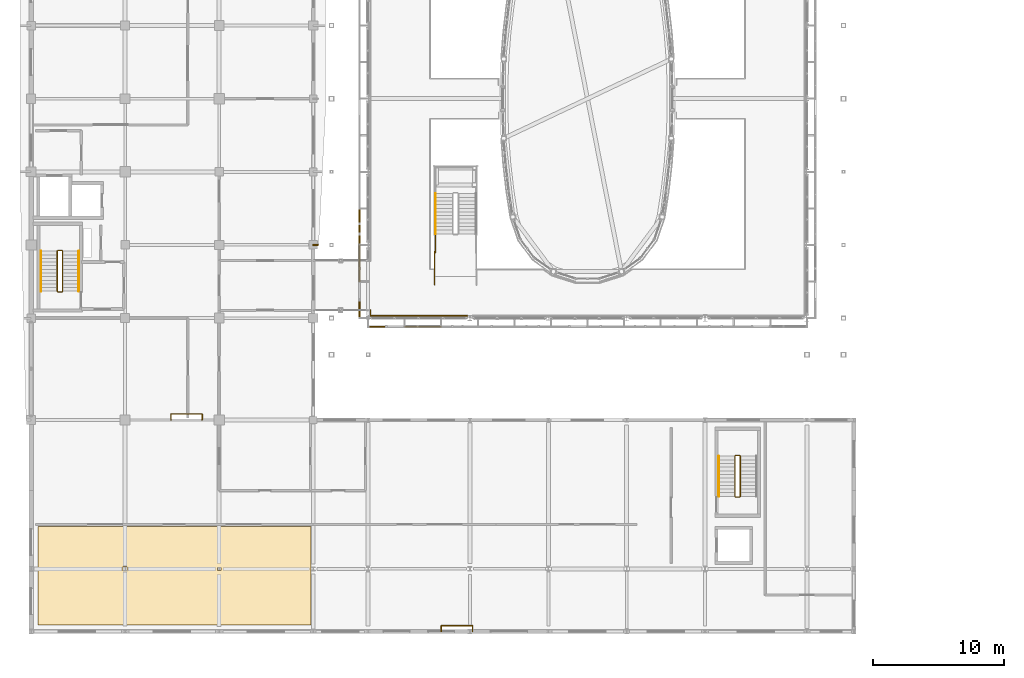
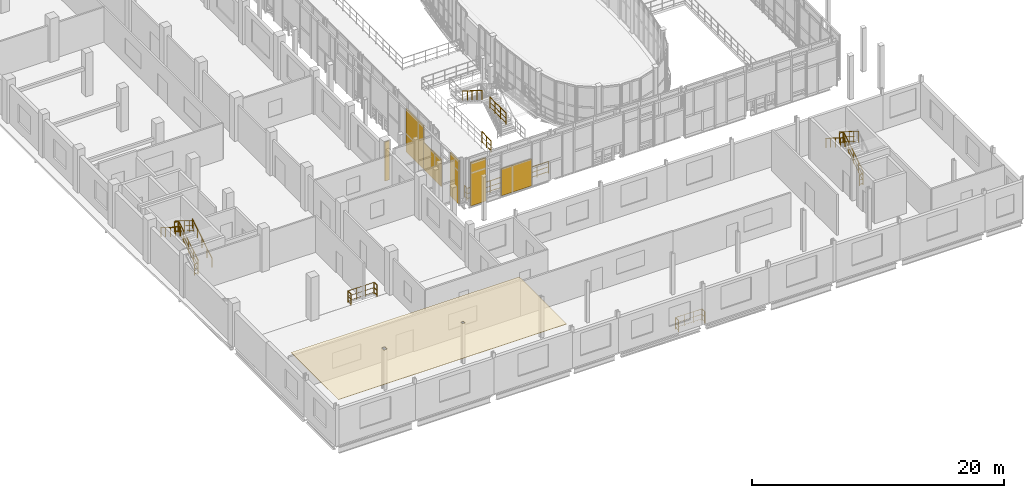
# One storey, part 110 of 121: 22 railings, 6 shading devices, 1 covering.
"""IFC4 building model written with IfcOpenShell, lengths in metres."""

from ifc_helpers import new_model, si_unit, direction, frame, origin, origin_2d, place, context, subcontext, project, spatial, polyline, rectangle, circle, outline, extrude, material, layer, layer_set, type_object, element, save


model = new_model("IFC4")

# Units and contexts
model_context = context("Model", 3, precision=1e-05, world=origin(), true_north=direction((0.0, 1.0)))
body_context = subcontext(model_context, "Body", "Model", "MODEL_VIEW")
ifc_project = project(units=[si_unit("LENGTHUNIT", "METRE"), si_unit("AREAUNIT", "SQUARE_METRE"), si_unit("VOLUMEUNIT", "CUBIC_METRE"), si_unit("PLANEANGLEUNIT", "RADIAN"), si_unit("MASSUNIT", "GRAM", prefix="KILO")], contexts=[model_context])

# Site, building, storey
site_placement = place(None, origin())
site = spatial("IfcSite", under=ifc_project, at=site_placement, CompositionType="ELEMENT")
building_placement = place(site_placement, origin())
building = spatial("IfcBuilding", under=site, at=building_placement, Name="Vinh Khe Railworks Police Headquarters", CompositionType="ELEMENT")
storey_placement = place(building_placement, frame((0.0, 0.0, 4.800048828125)))
storey = spatial("IfcBuildingStorey", under=building, at=storey_placement, Name="L01", CompositionType="ELEMENT", Elevation=4.800048828125)

# Covering
ifc_material_1 = material(Name="Mineral fibre acoustic ceiling tile")
ifc_layer = layer(ifc_material_1, 0.034912109375)
ifc_layer_set = layer_set([ifc_layer], Name="Mineral fibre acoustic ceiling tile")
covering_type = type_object("IfcCoveringType", Name="COV-CEIL-ACOUSTIC", PredefinedType="CEILING", material=ifc_layer_set)
covering_placement = place(storey_placement, frame((0.0, 0.0, 3.89501953125)))
element("IfcCovering", 1, at=covering_placement, inside=storey, type_object=covering_type, Name="Acoustic Ceiling Press and Media Briefing Hall", PredefinedType="CEILING", context=body_context, shape_type="SweptSolid", body=[
    extrude(outline(polyline([(22.0400390625, 9.239990234375), (1.110107421875, 9.239990234375), (1.110107421875, 1.7099609375), (22.0400390625, 1.7099609375), (22.0400390625, 9.239990234375)]), holes=[polyline([(7.955078125, 5.820068359375), (7.64501953125, 5.820068359375), (7.64501953125, 6.179931640625), (7.955078125, 6.179931640625), (7.955078125, 5.820068359375)]), polyline([(15.125, 5.8798828125), (14.875, 5.8798828125), (14.875, 6.1201171875), (15.125, 6.1201171875), (15.125, 5.8798828125)])]), origin(), (0.0, 0.0, 1.0), 0.034912109375),
])

# Railings
ifc_material_2 = material(Name="Dark steel and laminated safety glass", Category="steel")
railing_type_1 = type_object("IfcRailingType", Name="RL-ATRIUM-1150", PredefinedType="BALUSTRADE", material=ifc_material_2)
railing_1_placement = place(storey_placement, frame((31.550048828125, 30.199951171875, 0.0)))
element("IfcRailing", 2, at=railing_1_placement, inside=storey, type_object=railing_type_1, Name="L01 ST-08 stair guard 9", PredefinedType="BALUSTRADE", context=body_context, shape_type="SweptSolid", body=[
    extrude(circle(Radius=0.02392578125, at=origin_2d()), frame((0.0, 0.0, 1.076171875), z_axis=(0.0, 1.0, 0.0), x_axis=(-1.0, 0.0, 0.0)), (0.0, 0.0, 1.0), 1.449951171875),
    extrude(circle(Radius=0.01416015625, at=origin_2d()), frame((0.0, 0.0, 0.132080078125), z_axis=(0.0, 1.0, 0.0), x_axis=(-1.0, 0.0, 0.0)), (0.0, 0.0, 1.0), 1.449951171875),
    extrude(circle(Radius=0.01416015625, at=origin_2d()), frame((0.0, 0.0, 0.572021484375), z_axis=(0.0, 1.0, 0.0), x_axis=(-1.0, 0.0, 0.0)), (0.0, 0.0, 1.0), 1.449951171875),
    extrude(circle(Radius=0.02099609375, at=origin_2d()), origin(), (0.0, 0.0, 1.0), 1.052001953125),
    extrude(circle(Radius=0.02099609375, at=origin_2d()), frame((0.0, 0.72509765625, 0.0)), (0.0, 0.0, 1.0), 1.052001953125),
    extrude(circle(Radius=0.02099609375, at=origin_2d()), frame((0.0, 1.449951171875, 0.0)), (0.0, 0.0, 1.0), 1.052001953125),
])
railing_2_placement = place(storey_placement, frame((31.5, 27.75, 4.199951171875)))
element("IfcRailing", 3, at=railing_2_placement, inside=storey, type_object=railing_type_1, Name="L01 ST-08 stair guard 13", PredefinedType="BALUSTRADE", context=body_context, shape_type="SweptSolid", body=[
    extrude(circle(Radius=0.02392578125, at=origin_2d()), frame((0.0, 0.0, 1.076171875), z_axis=(0.0, 1.0, 0.0), x_axis=(-1.0, 0.0, 0.0)), (0.0, 0.0, 1.0), 2.550048828125),
    extrude(circle(Radius=0.01416015625, at=origin_2d()), frame((0.0, 0.0, 0.132080078125), z_axis=(0.0, 1.0, 0.0), x_axis=(-1.0, 0.0, 0.0)), (0.0, 0.0, 1.0), 2.550048828125),
    extrude(circle(Radius=0.01416015625, at=origin_2d()), frame((0.0, 0.0, 0.572021484375), z_axis=(0.0, 1.0, 0.0), x_axis=(-1.0, 0.0, 0.0)), (0.0, 0.0, 1.0), 2.550048828125),
    extrude(circle(Radius=0.02099609375, at=origin_2d()), origin(), (0.0, 0.0, 1.0), 1.052001953125),
    extrude(circle(Radius=0.02099609375, at=origin_2d()), frame((0.0, 0.85009765625, 0.0)), (0.0, 0.0, 1.0), 1.052001953125),
    extrude(circle(Radius=0.02099609375, at=origin_2d()), frame((0.0, 1.699951171875, 0.0)), (0.0, 0.0, 1.0), 1.052001953125),
    extrude(circle(Radius=0.02099609375, at=origin_2d()), frame((0.0, 2.550048828125, 0.0)), (0.0, 0.0, 1.0), 1.052001953125),
])
railing_3_placement = place(storey_placement, frame((26.580078125, 25.3798828125, 0.0)))
element("IfcRailing", 4, at=railing_3_placement, inside=storey, type_object=railing_type_1, Name="Atrium Balustrade GR-V1PERIM-L01-01", PredefinedType="BALUSTRADE", context=body_context, shape_type="SweptSolid", body=[
    extrude(circle(Radius=0.02392578125, at=origin_2d()), frame((0.0, 0.0, 1.1259765625), z_axis=(1.0, 0.0, 0.0), x_axis=(0.0, 1.0, 0.0)), (0.0, 0.0, 1.0), 7.44482421875),
    extrude(circle(Radius=0.01416015625, at=origin_2d()), frame((0.0, 0.0, 0.137939453125), z_axis=(1.0, 0.0, 0.0), x_axis=(0.0, 1.0, 0.0)), (0.0, 0.0, 1.0), 7.44482421875),
    extrude(circle(Radius=0.01416015625, at=origin_2d()), frame((0.0, 0.0, 0.597900390625), z_axis=(1.0, 0.0, 0.0), x_axis=(0.0, 1.0, 0.0)), (0.0, 0.0, 1.0), 7.44482421875),
    extrude(circle(Radius=0.02099609375, at=origin_2d()), origin(), (0.0, 0.0, 1.0), 1.101806640625),
    extrude(circle(Radius=0.02099609375, at=origin_2d()), frame((1.0634765625, 0.0, 0.0)), (0.0, 0.0, 1.0), 1.101806640625),
    extrude(circle(Radius=0.02099609375, at=origin_2d()), frame((2.127197265625, 0.0, 0.0)), (0.0, 0.0, 1.0), 1.101806640625),
    extrude(circle(Radius=0.02099609375, at=origin_2d()), frame((3.190673828125, 0.0, 0.0)), (0.0, 0.0, 1.0), 1.101806640625),
    extrude(circle(Radius=0.02099609375, at=origin_2d()), frame((4.254150390625, 0.0, 0.0)), (0.0, 0.0, 1.0), 1.101806640625),
    extrude(circle(Radius=0.02099609375, at=origin_2d()), frame((5.317626953125, 0.0, 0.0)), (0.0, 0.0, 1.0), 1.101806640625),
    extrude(circle(Radius=0.02099609375, at=origin_2d()), frame((6.38134765625, 0.0, 0.0)), (0.0, 0.0, 1.0), 1.101806640625),
    extrude(circle(Radius=0.02099609375, at=origin_2d()), frame((7.44482421875, 0.0, 0.0)), (0.0, 0.0, 1.0), 1.101806640625),
])
railing_4_placement = place(storey_placement, frame((26.580078125, 25.820068359375, 0.0)))
element("IfcRailing", 5, at=railing_4_placement, inside=storey, type_object=railing_type_1, Name="Atrium Balustrade GR-V1PERIM-L01-07", PredefinedType="BALUSTRADE", context=body_context, shape_type="SweptSolid", body=[
    extrude(circle(Radius=0.02392578125, at=origin_2d()), frame((0.0, 0.0, 1.1259765625), z_axis=(0.0, -1.0, 0.0), x_axis=(1.0, 0.0, 0.0)), (0.0, 0.0, 1.0), 0.440185546875),
    extrude(circle(Radius=0.01416015625, at=origin_2d()), frame((0.0, 0.0, 0.137939453125), z_axis=(0.0, -1.0, 0.0), x_axis=(1.0, 0.0, 0.0)), (0.0, 0.0, 1.0), 0.440185546875),
    extrude(circle(Radius=0.01416015625, at=origin_2d()), frame((0.0, 0.0, 0.597900390625), z_axis=(0.0, -1.0, 0.0), x_axis=(1.0, 0.0, 0.0)), (0.0, 0.0, 1.0), 0.440185546875),
    extrude(circle(Radius=0.02099609375, at=origin_2d()), origin(), (0.0, 0.0, 1.0), 1.101806640625),
    extrude(circle(Radius=0.02099609375, at=origin_2d()), frame((0.0, -0.440185546875, 0.0)), (0.0, 0.0, 1.0), 1.101806640625),
])
ifc_material_3 = material(Name="Painted tubular steel", Category="steel")
railing_type_2 = type_object("IfcRailingType", Name="RL-GUARD-1100", PredefinedType="GUARDRAIL", material=ifc_material_3)
railing_5_placement = place(storey_placement, frame((3.0, 27.25, 0.175048828125)))
element("IfcRailing", 6, at=railing_5_placement, inside=storey, type_object=railing_type_2, Name="L01 ST-01 stair guard 1", PredefinedType="GUARDRAIL", context=body_context, shape_type="SweptSolid", body=[
    extrude(circle(Radius=0.02392578125, at=origin_2d()), frame((0.0, 0.0, 1.076171875), z_axis=(0.0, 0.848028513186, 0.529950602248), x_axis=(-1.0, 0.0, 0.0)), (0.0, 0.0, 1.0), 3.632080078125),
    extrude(circle(Radius=0.01416015625, at=origin_2d()), frame((0.0, 0.0, 0.132080078125), z_axis=(0.0, 0.848028513186, 0.529950602248), x_axis=(-1.0, 0.0, 0.0)), (0.0, 0.0, 1.0), 3.632080078125),
    extrude(circle(Radius=0.01416015625, at=origin_2d()), frame((0.0, 0.0, 0.572021484375), z_axis=(0.0, 0.848028513186, 0.529950602248), x_axis=(-1.0, 0.0, 0.0)), (0.0, 0.0, 1.0), 3.632080078125),
    extrude(circle(Radius=0.02099609375, at=origin_2d()), origin(), (0.0, 0.0, 1.0), 1.052001953125),
    extrude(circle(Radius=0.02099609375, at=origin_2d()), frame((0.0, 0.77001953125, 0.481201171875)), (0.0, 0.0, 1.0), 1.052001953125),
    extrude(circle(Radius=0.02099609375, at=origin_2d()), frame((0.0, 1.5400390625, 0.96240234375)), (0.0, 0.0, 1.0), 1.052001953125),
    extrude(circle(Radius=0.02099609375, at=origin_2d()), frame((0.0, 2.31005859375, 1.443603515625)), (0.0, 0.0, 1.0), 1.052001953125),
    extrude(circle(Radius=0.02099609375, at=origin_2d()), frame((0.0, 3.080078125, 1.9248046875)), (0.0, 0.0, 1.0), 1.052001953125),
])
railing_6_placement = place(storey_placement, frame((2.949951171875, 30.3798828125, 2.099853515625)))
element("IfcRailing", 7, at=railing_6_placement, inside=storey, type_object=railing_type_2, Name="L01 ST-01 stair guard 2", PredefinedType="GUARDRAIL", context=body_context, shape_type="SweptSolid", body=[
    extrude(circle(Radius=0.02392578125, at=origin_2d()), frame((0.0, 0.0, 1.076171875), z_axis=(-1.0, 0.0, 0.0), x_axis=(0.0, -1.0, 0.0)), (0.0, 0.0, 1.0), 0.300048828125),
    extrude(circle(Radius=0.01416015625, at=origin_2d()), frame((0.0, 0.0, 0.132080078125), z_axis=(-1.0, 0.0, 0.0), x_axis=(0.0, -1.0, 0.0)), (0.0, 0.0, 1.0), 0.300048828125),
    extrude(circle(Radius=0.01416015625, at=origin_2d()), frame((0.0, 0.0, 0.572021484375), z_axis=(-1.0, 0.0, 0.0), x_axis=(0.0, -1.0, 0.0)), (0.0, 0.0, 1.0), 0.300048828125),
    extrude(circle(Radius=0.02099609375, at=origin_2d()), origin(), (0.0, 0.0, 1.0), 1.052001953125),
    extrude(circle(Radius=0.02099609375, at=origin_2d()), frame((-0.300048828125, 0.0, 0.0)), (0.0, 0.0, 1.0), 1.052001953125),
])
railing_7_placement = place(storey_placement, frame((2.60009765625, 30.330078125, 2.27490234375)))
element("IfcRailing", 8, at=railing_7_placement, inside=storey, type_object=railing_type_2, Name="L01 ST-01 stair guard 3", PredefinedType="GUARDRAIL", context=body_context, shape_type="SweptSolid", body=[
    extrude(circle(Radius=0.02392578125, at=origin_2d()), frame((0.0, 0.0, 1.076171875), z_axis=(0.0, -0.847998304005, 0.529998940003), x_axis=(1.0, 0.0, 0.0)), (0.0, 0.0, 1.0), 3.632080078125),
    extrude(circle(Radius=0.01416015625, at=origin_2d()), frame((0.0, 0.0, 0.132080078125), z_axis=(0.0, -0.847998304005, 0.529998940003), x_axis=(1.0, 0.0, 0.0)), (0.0, 0.0, 1.0), 3.632080078125),
    extrude(circle(Radius=0.01416015625, at=origin_2d()), frame((0.0, 0.0, 0.572021484375), z_axis=(0.0, -0.847998304005, 0.529998940003), x_axis=(1.0, 0.0, 0.0)), (0.0, 0.0, 1.0), 3.632080078125),
    extrude(circle(Radius=0.02099609375, at=origin_2d()), origin(), (0.0, 0.0, 1.0), 1.052001953125),
    extrude(circle(Radius=0.02099609375, at=origin_2d()), frame((0.0, -0.77001953125, 0.481201171875)), (0.0, 0.0, 1.0), 1.052001953125),
    extrude(circle(Radius=0.02099609375, at=origin_2d()), frame((0.0, -1.5400390625, 0.96240234375)), (0.0, 0.0, 1.0), 1.052001953125),
    extrude(circle(Radius=0.02099609375, at=origin_2d()), frame((0.0, -2.31005859375, 1.44384765625)), (0.0, 0.0, 1.0), 1.052001953125),
    extrude(circle(Radius=0.02099609375, at=origin_2d()), frame((0.0, -3.080078125, 1.925048828125)), (0.0, 0.0, 1.0), 1.052001953125),
])
railing_8_placement = place(storey_placement, frame((2.949951171875, 27.199951171875, 0.0)))
element("IfcRailing", 9, at=railing_8_placement, inside=storey, type_object=railing_type_2, Name="L01 ST-01 stair guard 4", PredefinedType="GUARDRAIL", context=body_context, shape_type="SweptSolid", body=[
    extrude(circle(Radius=0.02392578125, at=origin_2d()), frame((0.0, 0.0, 1.076171875), z_axis=(-1.0, 0.0, 0.0), x_axis=(0.0, -1.0, 0.0)), (0.0, 0.0, 1.0), 0.300048828125),
    extrude(circle(Radius=0.01416015625, at=origin_2d()), frame((0.0, 0.0, 0.132080078125), z_axis=(-1.0, 0.0, 0.0), x_axis=(0.0, -1.0, 0.0)), (0.0, 0.0, 1.0), 0.300048828125),
    extrude(circle(Radius=0.01416015625, at=origin_2d()), frame((0.0, 0.0, 0.572021484375), z_axis=(-1.0, 0.0, 0.0), x_axis=(0.0, -1.0, 0.0)), (0.0, 0.0, 1.0), 0.300048828125),
    extrude(circle(Radius=0.02099609375, at=origin_2d()), origin(), (0.0, 0.0, 1.0), 1.052001953125),
    extrude(circle(Radius=0.02099609375, at=origin_2d()), frame((-0.300048828125, 0.0, 0.0)), (0.0, 0.0, 1.0), 1.052001953125),
])
railing_9_placement = place(storey_placement, frame((54.89990234375, 11.550048828125, 0.175048828125)))
element("IfcRailing", 10, at=railing_9_placement, inside=storey, type_object=railing_type_2, Name="L01 ST-05 stair guard 1", PredefinedType="GUARDRAIL", context=body_context, shape_type="SweptSolid", body=[
    extrude(circle(Radius=0.02392578125, at=origin_2d()), frame((0.0, 0.0, 1.076171875), z_axis=(0.0, 0.848009633417, 0.529980812513), x_axis=(-1.0, 0.0, 0.0)), (0.0, 0.0, 1.0), 3.6318359375),
    extrude(circle(Radius=0.01416015625, at=origin_2d()), frame((0.0, 0.0, 0.132080078125), z_axis=(0.0, 0.848009633417, 0.529980812513), x_axis=(-1.0, 0.0, 0.0)), (0.0, 0.0, 1.0), 3.6318359375),
    extrude(circle(Radius=0.01416015625, at=origin_2d()), frame((0.0, 0.0, 0.572021484375), z_axis=(0.0, 0.848009633417, 0.529980812513), x_axis=(-1.0, 0.0, 0.0)), (0.0, 0.0, 1.0), 3.6318359375),
    extrude(circle(Radius=0.02099609375, at=origin_2d()), origin(), (0.0, 0.0, 1.0), 1.052001953125),
    extrude(circle(Radius=0.02099609375, at=origin_2d()), frame((0.0, 0.77001953125, 0.481201171875)), (0.0, 0.0, 1.0), 1.052001953125),
    extrude(circle(Radius=0.02099609375, at=origin_2d()), frame((0.0, 1.5400390625, 0.96240234375)), (0.0, 0.0, 1.0), 1.052001953125),
    extrude(circle(Radius=0.02099609375, at=origin_2d()), frame((0.0, 2.309814453125, 1.443603515625)), (0.0, 0.0, 1.0), 1.052001953125),
    extrude(circle(Radius=0.02099609375, at=origin_2d()), frame((0.0, 3.079833984375, 1.9248046875)), (0.0, 0.0, 1.0), 1.052001953125),
])
railing_10_placement = place(storey_placement, frame((54.85009765625, 14.679931640625, 2.099853515625)))
element("IfcRailing", 11, at=railing_10_placement, inside=storey, type_object=railing_type_2, Name="L01 ST-05 stair guard 2", PredefinedType="GUARDRAIL", context=body_context, shape_type="SweptSolid", body=[
    extrude(circle(Radius=0.02392578125, at=origin_2d()), frame((0.0, 0.0, 1.076171875), z_axis=(-1.0, 0.0, 0.0), x_axis=(0.0, -1.0, 0.0)), (0.0, 0.0, 1.0), 0.300048828125),
    extrude(circle(Radius=0.01416015625, at=origin_2d()), frame((0.0, 0.0, 0.132080078125), z_axis=(-1.0, 0.0, 0.0), x_axis=(0.0, -1.0, 0.0)), (0.0, 0.0, 1.0), 0.300048828125),
    extrude(circle(Radius=0.01416015625, at=origin_2d()), frame((0.0, 0.0, 0.572021484375), z_axis=(-1.0, 0.0, 0.0), x_axis=(0.0, -1.0, 0.0)), (0.0, 0.0, 1.0), 0.300048828125),
    extrude(circle(Radius=0.02099609375, at=origin_2d()), origin(), (0.0, 0.0, 1.0), 1.052001953125),
    extrude(circle(Radius=0.02099609375, at=origin_2d()), frame((-0.300048828125, 0.0, 0.0)), (0.0, 0.0, 1.0), 1.052001953125),
])
railing_11_placement = place(storey_placement, frame((54.5, 14.6298828125, 2.27490234375)))
element("IfcRailing", 12, at=railing_11_placement, inside=storey, type_object=railing_type_2, Name="L01 ST-05 stair guard 3", PredefinedType="GUARDRAIL", context=body_context, shape_type="SweptSolid", body=[
    extrude(circle(Radius=0.02392578125, at=origin_2d()), frame((0.0, 0.0, 1.076171875), z_axis=(0.0, -0.847979421464, 0.530029150871), x_axis=(1.0, 0.0, 0.0)), (0.0, 0.0, 1.0), 3.632080078125),
    extrude(circle(Radius=0.01416015625, at=origin_2d()), frame((0.0, 0.0, 0.132080078125), z_axis=(0.0, -0.847979421464, 0.530029150871), x_axis=(1.0, 0.0, 0.0)), (0.0, 0.0, 1.0), 3.632080078125),
    extrude(circle(Radius=0.01416015625, at=origin_2d()), frame((0.0, 0.0, 0.572021484375), z_axis=(0.0, -0.847979421464, 0.530029150871), x_axis=(1.0, 0.0, 0.0)), (0.0, 0.0, 1.0), 3.632080078125),
    extrude(circle(Radius=0.02099609375, at=origin_2d()), origin(), (0.0, 0.0, 1.0), 1.052001953125),
    extrude(circle(Radius=0.02099609375, at=origin_2d()), frame((0.0, -0.77001953125, 0.481201171875)), (0.0, 0.0, 1.0), 1.052001953125),
    extrude(circle(Radius=0.02099609375, at=origin_2d()), frame((0.0, -1.5400390625, 0.96240234375)), (0.0, 0.0, 1.0), 1.052001953125),
    extrude(circle(Radius=0.02099609375, at=origin_2d()), frame((0.0, -2.309814453125, 1.44384765625)), (0.0, 0.0, 1.0), 1.052001953125),
    extrude(circle(Radius=0.02099609375, at=origin_2d()), frame((0.0, -3.079833984375, 1.925048828125)), (0.0, 0.0, 1.0), 1.052001953125),
])
railing_12_placement = place(storey_placement, frame((54.85009765625, 11.5, 0.0)))
element("IfcRailing", 13, at=railing_12_placement, inside=storey, type_object=railing_type_2, Name="L01 ST-05 stair guard 4", PredefinedType="GUARDRAIL", context=body_context, shape_type="SweptSolid", body=[
    extrude(circle(Radius=0.02392578125, at=origin_2d()), frame((0.0, 0.0, 1.076171875), z_axis=(-1.0, 0.0, 0.0), x_axis=(0.0, -1.0, 0.0)), (0.0, 0.0, 1.0), 0.300048828125),
    extrude(circle(Radius=0.01416015625, at=origin_2d()), frame((0.0, 0.0, 0.132080078125), z_axis=(-1.0, 0.0, 0.0), x_axis=(0.0, -1.0, 0.0)), (0.0, 0.0, 1.0), 0.300048828125),
    extrude(circle(Radius=0.01416015625, at=origin_2d()), frame((0.0, 0.0, 0.572021484375), z_axis=(-1.0, 0.0, 0.0), x_axis=(0.0, -1.0, 0.0)), (0.0, 0.0, 1.0), 0.300048828125),
    extrude(circle(Radius=0.02099609375, at=origin_2d()), origin(), (0.0, 0.0, 1.0), 1.052001953125),
    extrude(circle(Radius=0.02099609375, at=origin_2d()), frame((-0.300048828125, 0.0, 0.0)), (0.0, 0.0, 1.0), 1.052001953125),
])
railing_13_placement = place(storey_placement, frame((11.300048828125, 17.39990234375, 0.0)))
element("IfcRailing", 14, at=railing_13_placement, inside=storey, type_object=railing_type_2, Name="Slab Corner Notch Guard L01-13", PredefinedType="GUARDRAIL", context=body_context, shape_type="SweptSolid", body=[
    extrude(circle(Radius=0.02392578125, at=origin_2d()), frame((0.0, 0.0, 1.09619140625), z_axis=(0.0, 1.0, 0.0), x_axis=(-1.0, 0.0, 0.0)), (0.0, 0.0, 1.0), 0.4501953125),
    extrude(circle(Radius=0.01416015625, at=origin_2d()), frame((0.0, 0.0, 0.134521484375), z_axis=(0.0, 1.0, 0.0), x_axis=(-1.0, 0.0, 0.0)), (0.0, 0.0, 1.0), 0.4501953125),
    extrude(circle(Radius=0.01416015625, at=origin_2d()), frame((0.0, 0.0, 0.58251953125), z_axis=(0.0, 1.0, 0.0), x_axis=(-1.0, 0.0, 0.0)), (0.0, 0.0, 1.0), 0.4501953125),
    extrude(circle(Radius=0.02099609375, at=origin_2d()), origin(), (0.0, 0.0, 1.0), 1.072021484375),
    extrude(circle(Radius=0.02099609375, at=origin_2d()), frame((0.0, 0.4501953125, 0.0)), (0.0, 0.0, 1.0), 1.072021484375),
])
railing_14_placement = place(storey_placement, frame((11.300048828125, 17.85009765625, 0.0)))
element("IfcRailing", 15, at=railing_14_placement, inside=storey, type_object=railing_type_2, Name="Slab Corner Notch Guard L01-14", PredefinedType="GUARDRAIL", context=body_context, shape_type="SweptSolid", body=[
    extrude(circle(Radius=0.02392578125, at=origin_2d()), frame((0.0, 0.0, 1.09619140625), z_axis=(1.0, 0.0, 0.0), x_axis=(0.0, 1.0, 0.0)), (0.0, 0.0, 1.0), 2.39990234375),
    extrude(circle(Radius=0.01416015625, at=origin_2d()), frame((0.0, 0.0, 0.134521484375), z_axis=(1.0, 0.0, 0.0), x_axis=(0.0, 1.0, 0.0)), (0.0, 0.0, 1.0), 2.39990234375),
    extrude(circle(Radius=0.01416015625, at=origin_2d()), frame((0.0, 0.0, 0.58251953125), z_axis=(1.0, 0.0, 0.0), x_axis=(0.0, 1.0, 0.0)), (0.0, 0.0, 1.0), 2.39990234375),
    extrude(circle(Radius=0.02099609375, at=origin_2d()), origin(), (0.0, 0.0, 1.0), 1.072021484375),
    extrude(circle(Radius=0.02099609375, at=origin_2d()), frame((0.800048828125, 0.0, 0.0)), (0.0, 0.0, 1.0), 1.072021484375),
    extrude(circle(Radius=0.02099609375, at=origin_2d()), frame((1.599853515625, 0.0, 0.0)), (0.0, 0.0, 1.0), 1.072021484375),
    extrude(circle(Radius=0.02099609375, at=origin_2d()), frame((2.39990234375, 0.0, 0.0)), (0.0, 0.0, 1.0), 1.072021484375),
])
railing_15_placement = place(storey_placement, frame((13.699951171875, 17.85009765625, 0.0)))
element("IfcRailing", 16, at=railing_15_placement, inside=storey, type_object=railing_type_2, Name="Slab Corner Notch Guard L01-15", PredefinedType="GUARDRAIL", context=body_context, shape_type="SweptSolid", body=[
    extrude(circle(Radius=0.02392578125, at=origin_2d()), frame((0.0, 0.0, 1.09619140625), z_axis=(0.0, -1.0, 0.0), x_axis=(1.0, 0.0, 0.0)), (0.0, 0.0, 1.0), 0.4501953125),
    extrude(circle(Radius=0.01416015625, at=origin_2d()), frame((0.0, 0.0, 0.134521484375), z_axis=(0.0, -1.0, 0.0), x_axis=(1.0, 0.0, 0.0)), (0.0, 0.0, 1.0), 0.4501953125),
    extrude(circle(Radius=0.01416015625, at=origin_2d()), frame((0.0, 0.0, 0.58251953125), z_axis=(0.0, -1.0, 0.0), x_axis=(1.0, 0.0, 0.0)), (0.0, 0.0, 1.0), 0.4501953125),
    extrude(circle(Radius=0.02099609375, at=origin_2d()), origin(), (0.0, 0.0, 1.0), 1.072021484375),
    extrude(circle(Radius=0.02099609375, at=origin_2d()), frame((0.0, -0.4501953125, 0.0)), (0.0, 0.0, 1.0), 1.072021484375),
])
railing_16_placement = place(storey_placement, frame((32.0, 1.199951171875, 0.0)))
element("IfcRailing", 17, at=railing_16_placement, inside=storey, type_object=railing_type_2, Name="Slab Corner Notch Guard L01-16", PredefinedType="GUARDRAIL", context=body_context, shape_type="SweptSolid", body=[
    extrude(circle(Radius=0.02392578125, at=origin_2d()), frame((0.0, 0.0, 1.09619140625), z_axis=(0.0, 1.0, 0.0), x_axis=(-1.0, 0.0, 0.0)), (0.0, 0.0, 1.0), 0.449951171875),
    extrude(circle(Radius=0.01416015625, at=origin_2d()), frame((0.0, 0.0, 0.134521484375), z_axis=(0.0, 1.0, 0.0), x_axis=(-1.0, 0.0, 0.0)), (0.0, 0.0, 1.0), 0.449951171875),
    extrude(circle(Radius=0.01416015625, at=origin_2d()), frame((0.0, 0.0, 0.58251953125), z_axis=(0.0, 1.0, 0.0), x_axis=(-1.0, 0.0, 0.0)), (0.0, 0.0, 1.0), 0.449951171875),
    extrude(circle(Radius=0.02099609375, at=origin_2d()), origin(), (0.0, 0.0, 1.0), 1.072021484375),
    extrude(circle(Radius=0.02099609375, at=origin_2d()), frame((0.0, 0.449951171875, 0.0)), (0.0, 0.0, 1.0), 1.072021484375),
])
railing_17_placement = place(storey_placement, frame((32.0, 1.64990234375, 0.0)))
element("IfcRailing", 18, at=railing_17_placement, inside=storey, type_object=railing_type_2, Name="Slab Corner Notch Guard L01-17", PredefinedType="GUARDRAIL", context=body_context, shape_type="SweptSolid", body=[
    extrude(circle(Radius=0.02392578125, at=origin_2d()), frame((0.0, 0.0, 1.09619140625), z_axis=(1.0, 0.0, 0.0), x_axis=(0.0, 1.0, 0.0)), (0.0, 0.0, 1.0), 2.39990234375),
    extrude(circle(Radius=0.01416015625, at=origin_2d()), frame((0.0, 0.0, 0.134521484375), z_axis=(1.0, 0.0, 0.0), x_axis=(0.0, 1.0, 0.0)), (0.0, 0.0, 1.0), 2.39990234375),
    extrude(circle(Radius=0.01416015625, at=origin_2d()), frame((0.0, 0.0, 0.58251953125), z_axis=(1.0, 0.0, 0.0), x_axis=(0.0, 1.0, 0.0)), (0.0, 0.0, 1.0), 2.39990234375),
    extrude(circle(Radius=0.02099609375, at=origin_2d()), origin(), (0.0, 0.0, 1.0), 1.072021484375),
    extrude(circle(Radius=0.02099609375, at=origin_2d()), frame((0.800048828125, 0.0, 0.0)), (0.0, 0.0, 1.0), 1.072021484375),
    extrude(circle(Radius=0.02099609375, at=origin_2d()), frame((1.599853515625, 0.0, 0.0)), (0.0, 0.0, 1.0), 1.072021484375),
    extrude(circle(Radius=0.02099609375, at=origin_2d()), frame((2.39990234375, 0.0, 0.0)), (0.0, 0.0, 1.0), 1.072021484375),
])
railing_18_placement = place(storey_placement, frame((34.39990234375, 1.64990234375, 0.0)))
element("IfcRailing", 19, at=railing_18_placement, inside=storey, type_object=railing_type_2, Name="Slab Corner Notch Guard L01-18", PredefinedType="GUARDRAIL", context=body_context, shape_type="SweptSolid", body=[
    extrude(circle(Radius=0.02392578125, at=origin_2d()), frame((0.0, 0.0, 1.09619140625), z_axis=(0.0, -1.0, 0.0), x_axis=(1.0, 0.0, 0.0)), (0.0, 0.0, 1.0), 0.449951171875),
    extrude(circle(Radius=0.01416015625, at=origin_2d()), frame((0.0, 0.0, 0.134521484375), z_axis=(0.0, -1.0, 0.0), x_axis=(1.0, 0.0, 0.0)), (0.0, 0.0, 1.0), 0.449951171875),
    extrude(circle(Radius=0.01416015625, at=origin_2d()), frame((0.0, 0.0, 0.58251953125), z_axis=(0.0, -1.0, 0.0), x_axis=(1.0, 0.0, 0.0)), (0.0, 0.0, 1.0), 0.449951171875),
    extrude(circle(Radius=0.02099609375, at=origin_2d()), origin(), (0.0, 0.0, 1.0), 1.072021484375),
    extrude(circle(Radius=0.02099609375, at=origin_2d()), frame((0.0, -0.449951171875, 0.0)), (0.0, 0.0, 1.0), 1.072021484375),
])
ifc_material_4 = material(Name="Brushed stainless steel", Category="steel")
railing_type_3 = type_object("IfcRailingType", Name="RL-HAND-900", PredefinedType="HANDRAIL", material=ifc_material_4)
railing_19_placement = place(storey_placement, frame((4.25, 27.25, 0.175048828125)))
element("IfcRailing", 20, at=railing_19_placement, inside=storey, type_object=railing_type_3, Name="L01 ST-01 stair handrail 1", PredefinedType="HANDRAIL", context=body_context, shape_type="SweptSolid", body=[
    extrude(circle(Radius=0.02392578125, at=origin_2d()), frame((0.0, 0.0, 0.8759765625), z_axis=(0.0, 0.848028513186, 0.529950602248), x_axis=(-1.0, 0.0, 0.0)), (0.0, 0.0, 1.0), 3.632080078125),
    extrude(circle(Radius=0.02099609375, at=origin_2d()), origin(), (0.0, 0.0, 1.0), 0.851806640625),
    extrude(circle(Radius=0.02099609375, at=origin_2d()), frame((0.0, 0.77001953125, 0.481201171875)), (0.0, 0.0, 1.0), 0.851806640625),
    extrude(circle(Radius=0.02099609375, at=origin_2d()), frame((0.0, 1.5400390625, 0.96240234375)), (0.0, 0.0, 1.0), 0.851806640625),
    extrude(circle(Radius=0.02099609375, at=origin_2d()), frame((0.0, 2.31005859375, 1.443603515625)), (0.0, 0.0, 1.0), 0.851806640625),
    extrude(circle(Radius=0.02099609375, at=origin_2d()), frame((0.0, 3.080078125, 1.9248046875)), (0.0, 0.0, 1.0), 0.851806640625),
])
railing_20_placement = place(storey_placement, frame((1.35009765625, 30.330078125, 2.27490234375)))
element("IfcRailing", 21, at=railing_20_placement, inside=storey, type_object=railing_type_3, Name="L01 ST-01 stair handrail 2", PredefinedType="HANDRAIL", context=body_context, shape_type="SweptSolid", body=[
    extrude(circle(Radius=0.02392578125, at=origin_2d()), frame((0.0, 0.0, 0.8759765625), z_axis=(0.0, -0.847998304005, 0.529998940003), x_axis=(1.0, 0.0, 0.0)), (0.0, 0.0, 1.0), 3.632080078125),
    extrude(circle(Radius=0.02099609375, at=origin_2d()), origin(), (0.0, 0.0, 1.0), 0.851806640625),
    extrude(circle(Radius=0.02099609375, at=origin_2d()), frame((0.0, -0.77001953125, 0.481201171875)), (0.0, 0.0, 1.0), 0.851806640625),
    extrude(circle(Radius=0.02099609375, at=origin_2d()), frame((0.0, -1.5400390625, 0.96240234375)), (0.0, 0.0, 1.0), 0.851806640625),
    extrude(circle(Radius=0.02099609375, at=origin_2d()), frame((0.0, -2.31005859375, 1.44384765625)), (0.0, 0.0, 1.0), 0.851806640625),
    extrude(circle(Radius=0.02099609375, at=origin_2d()), frame((0.0, -3.080078125, 1.925048828125)), (0.0, 0.0, 1.0), 0.851806640625),
])
railing_21_placement = place(storey_placement, frame((53.25, 14.6298828125, 2.27490234375)))
element("IfcRailing", 22, at=railing_21_placement, inside=storey, type_object=railing_type_3, Name="L01 ST-05 stair handrail 2", PredefinedType="HANDRAIL", context=body_context, shape_type="SweptSolid", body=[
    extrude(circle(Radius=0.02392578125, at=origin_2d()), frame((0.0, 0.0, 0.8759765625), z_axis=(0.0, -0.847979421464, 0.530029150871), x_axis=(1.0, 0.0, 0.0)), (0.0, 0.0, 1.0), 3.632080078125),
    extrude(circle(Radius=0.02099609375, at=origin_2d()), origin(), (0.0, 0.0, 1.0), 0.851806640625),
    extrude(circle(Radius=0.02099609375, at=origin_2d()), frame((0.0, -0.77001953125, 0.481201171875)), (0.0, 0.0, 1.0), 0.851806640625),
    extrude(circle(Radius=0.02099609375, at=origin_2d()), frame((0.0, -1.5400390625, 0.96240234375)), (0.0, 0.0, 1.0), 0.851806640625),
    extrude(circle(Radius=0.02099609375, at=origin_2d()), frame((0.0, -2.309814453125, 1.44384765625)), (0.0, 0.0, 1.0), 0.851806640625),
    extrude(circle(Radius=0.02099609375, at=origin_2d()), frame((0.0, -3.079833984375, 1.925048828125)), (0.0, 0.0, 1.0), 0.851806640625),
])
railing_22_placement = place(storey_placement, frame((31.550048828125, 34.72998046875, 2.27490234375)))
element("IfcRailing", 23, at=railing_22_placement, inside=storey, type_object=railing_type_3, Name="L01 ST-08 stair handrail 2", PredefinedType="HANDRAIL", context=body_context, shape_type="SweptSolid", body=[
    extrude(circle(Radius=0.02392578125, at=origin_2d()), frame((0.0, 0.0, 0.8759765625), z_axis=(0.0, -0.847998304005, 0.529998940003), x_axis=(1.0, 0.0, 0.0)), (0.0, 0.0, 1.0), 3.632080078125),
    extrude(circle(Radius=0.02099609375, at=origin_2d()), origin(), (0.0, 0.0, 1.0), 0.851806640625),
    extrude(circle(Radius=0.02099609375, at=origin_2d()), frame((0.0, -0.77001953125, 0.481201171875)), (0.0, 0.0, 1.0), 0.851806640625),
    extrude(circle(Radius=0.02099609375, at=origin_2d()), frame((0.0, -1.5400390625, 0.96240234375)), (0.0, 0.0, 1.0), 0.851806640625),
    extrude(circle(Radius=0.02099609375, at=origin_2d()), frame((0.0, -2.31005859375, 1.44384765625)), (0.0, 0.0, 1.0), 0.851806640625),
    extrude(circle(Radius=0.02099609375, at=origin_2d()), frame((0.0, -3.080078125, 1.925048828125)), (0.0, 0.0, 1.0), 0.851806640625),
])

# Shading devices
ifc_material_5 = material(Name="Salvaged ironwood timber", Category="wood")
shading_device_type_1 = type_object("IfcShadingDeviceType", Name="SHD-MSF-01", PredefinedType="JALOUSIE", material=ifc_material_5)
shading_device_1_placement = place(storey_placement, frame((22.360107421875, 30.800048828125, 0.10009765625), z_axis=(0.0, 0.0, 1.0), x_axis=(1.0, 0.0, 0.0)))
element("IfcShadingDevice", 24, at=shading_device_1_placement, inside=storey, type_object=shading_device_type_1, Name="Monsoon Court Solar Fin V5 L01-1", PredefinedType="JALOUSIE", context=body_context, shape_type="SweptSolid", body=[
    extrude(rectangle(XDim=0.419921875, YDim=0.080078125, at=origin_2d()), origin(), (0.0, 0.0, 1.0), 3.780029296875),
])
shading_device_type_2 = type_object("IfcShadingDeviceType", Name="SHD-QS-01", PredefinedType="JALOUSIE", material=ifc_material_5)
for number, where, z_axis, x_axis, name in (
    (25, (30.60009765625, 24.550048828125, 0.0), (0.0, 0.0, 1.0), (1.0, 0.0, 0.0), "Salvaged Ironwood Quilt Casement S-2"),
    (26, (25.75, 29.39990234375, 0.0), (0.0, 0.0, 1.0), (0.0, 1.0, 0.0), "Salvaged Ironwood Quilt Casement W-2"),
):
    element("IfcShadingDevice", number, at=place(storey_placement, frame(where, z_axis=z_axis, x_axis=x_axis)), inside=storey, type_object=shading_device_type_2, Name=name, PredefinedType="JALOUSIE", context=body_context, shape_type="SweptSolid", body=[
        extrude(rectangle(XDim=2.800048828125, YDim=0.090087890625, at=origin_2d()), origin(), (0.0, 0.0, 1.0), 2.60400390625),
    ])
shading_device_type_3 = type_object("IfcShadingDeviceType", Name="SHD-QS-02", PredefinedType="JALOUSIE", material=ifc_material_5)
for number, where, z_axis, x_axis, name in (
    (27, (27.10009765625, 24.550048828125, 0.0), (0.0, 0.0, 1.0), (1.0, 0.0, 0.0), "Ironwood Tall Quilt Casement S-1L"),
    (28, (25.75, 25.89990234375, 0.0), (0.0, 0.0, 1.0), (0.0, 1.0, 0.0), "Ironwood Tall Quilt Casement W-1L"),
):
    element("IfcShadingDevice", number, at=place(storey_placement, frame(where, z_axis=z_axis, x_axis=x_axis)), inside=storey, type_object=shading_device_type_3, Name=name, PredefinedType="JALOUSIE", context=body_context, shape_type="SweptSolid", body=[
        extrude(rectangle(XDim=1.39990234375, YDim=0.090087890625, at=origin_2d()), origin(), (0.0, 0.0, 1.0), 4.199951171875),
    ])
shading_device_type_4 = type_object("IfcShadingDeviceType", Name="SHD-QS-04", PredefinedType="SHUTTER", material=ifc_material_5)
shading_device_2_placement = place(storey_placement, frame((25.75, 32.199951171875, 0.0), z_axis=(0.0, 0.0, 1.0), x_axis=(0.0, 1.0, 0.0)))
element("IfcShadingDevice", 29, at=shading_device_2_placement, inside=storey, type_object=shading_device_type_4, Name="Shuttered Ironwood Casement W-3", PredefinedType="SHUTTER", context=body_context, shape_type="SweptSolid", body=[
    extrude(rectangle(XDim=2.800048828125, YDim=0.090087890625, at=origin_2d()), origin(), (0.0, 0.0, 1.0), 4.199951171875),
])

save(model, "model.ifc")
